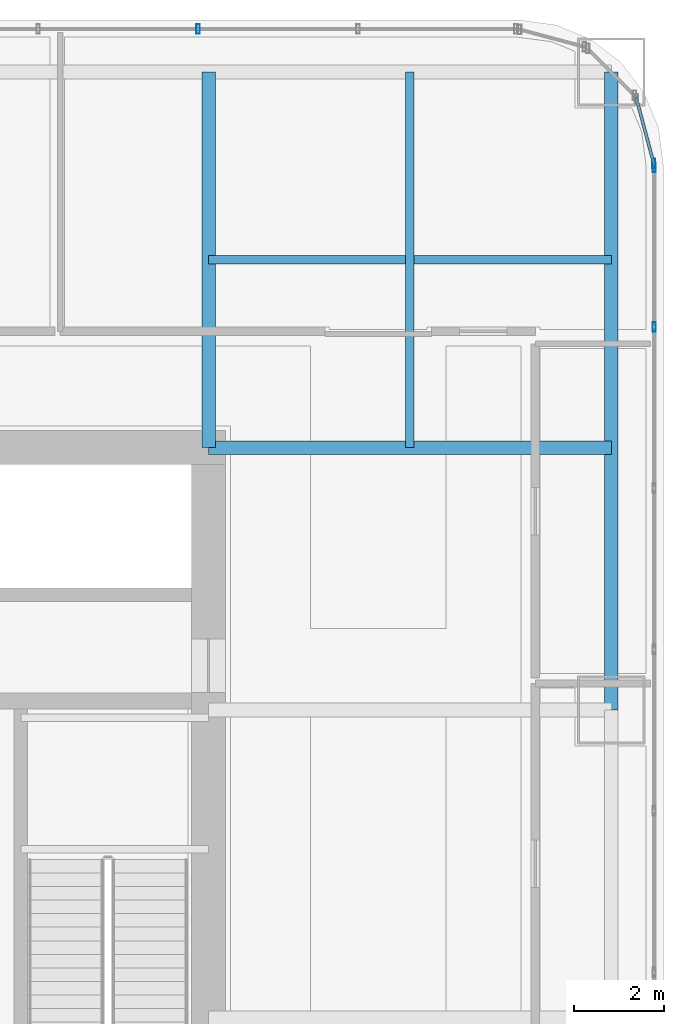
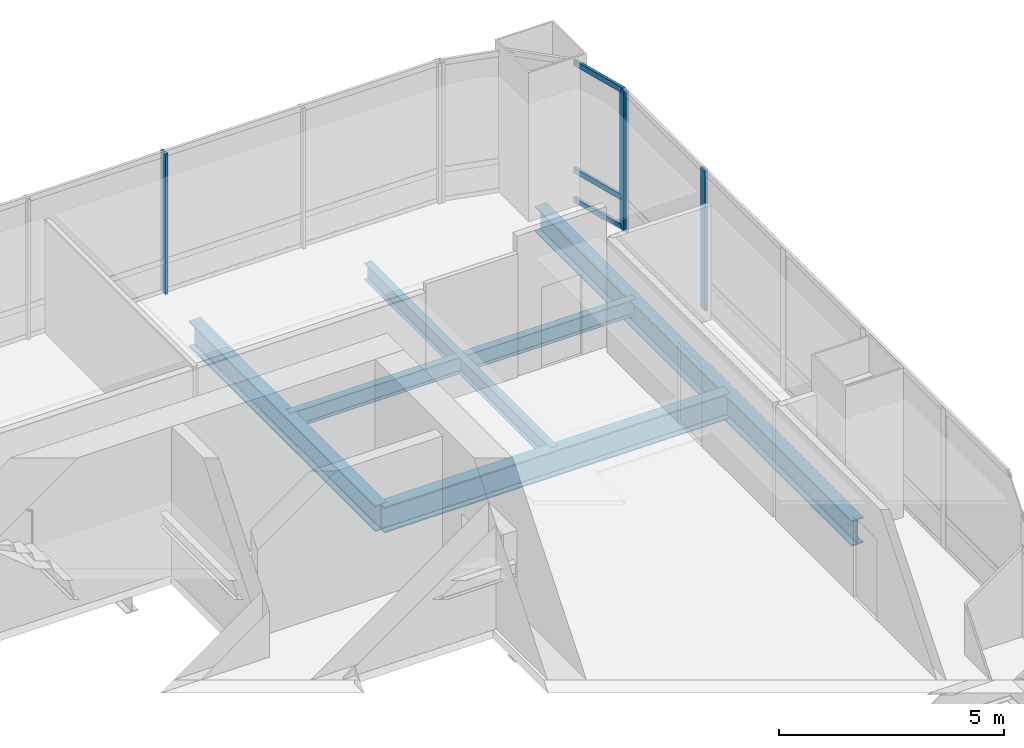
# One storey, part 24 of 36: 7 members, 5 beams, 3 elements without a shape of their own.
"""IFC4 building model written with IfcOpenShell, lengths in metres."""

from ifc_helpers import new_model, si_unit, direction, frame, origin, origin_2d, place, context, subcontext, project, spatial, hollow_rectangle, i_section, extrude, material, material_profile, profile_set, type_object, element, aggregate, save


model = new_model("IFC4")

# Units and contexts
model_context = context("Model", 3, precision=1e-05, world=origin(), true_north=direction((0.0, 1.0)))
body_context = subcontext(model_context, "Body", "Model", "MODEL_VIEW")
ifc_project = project(units=[si_unit("LENGTHUNIT", "METRE"), si_unit("AREAUNIT", "SQUARE_METRE"), si_unit("VOLUMEUNIT", "CUBIC_METRE"), si_unit("PLANEANGLEUNIT", "RADIAN"), si_unit("MASSUNIT", "GRAM", prefix="KILO")], contexts=[model_context])

# Site, building, storey
site_placement = place(None, origin())
site = spatial("IfcSite", under=ifc_project, at=site_placement, CompositionType="ELEMENT")
building_placement = place(site_placement, origin())
building = spatial("IfcBuilding", under=site, at=building_placement, Name="Punatoya Terracotta Tower", CompositionType="ELEMENT")
storey_placement = place(building_placement, frame((0.0, 0.0, 36.300048828125)))
storey = spatial("IfcBuildingStorey", under=building, at=storey_placement, Name="L07", CompositionType="ELEMENT", Elevation=36.300048828125)

# Beams
ifc_material_1 = material(Name="Steel S355", Category="steel")
ifc_material_profile_1 = material_profile(ifc_material_1, i_section(OverallWidth=0.300048828125, OverallDepth=0.699951171875, WebThickness=0.01708984375, FlangeThickness=0.031982421875, FilletRadius=0.01806640625, at=origin_2d()))
ifc_profile_set_1 = profile_set([ifc_material_profile_1], Name="Steel S355")
beam_type_1 = type_object("IfcBeamType", Name="BM-PRI-700", PredefinedType="BEAM", material=ifc_profile_set_1)
beam_1_placement = place(storey_placement, frame((19.10009765625, 3.39990234375, -0.590087890625), z_axis=(0.0, 1.0, 0.0), x_axis=(-1.0, 0.0, 0.0)))
element("IfcBeam", 1, at=beam_1_placement, inside=storey, type_object=beam_type_1, Name="BM-L07-RG-E3", PredefinedType="BEAM", context=body_context, shape_type="SweptSolid", body=[
    extrude(i_section(OverallWidth=0.300048828125, OverallDepth=0.699951171875, WebThickness=0.01708984375, FlangeThickness=0.031982421875, FilletRadius=0.01806640625, at=origin_2d()), origin(), (0.0, 0.0, 1.0), 14.10009765625),
])
beam_2_placement = place(storey_placement, frame((10.199951171875, 9.199951171875, -0.590087890625), z_axis=(1.0, 0.0, 0.0), x_axis=(0.0, 1.0, 0.0)))
element("IfcBeam", 2, at=beam_2_placement, inside=storey, type_object=beam_type_1, Name="BM-L07-PR-EN", PredefinedType="BEAM", context=body_context, shape_type="SweptSolid", body=[
    extrude(i_section(OverallWidth=0.300048828125, OverallDepth=0.699951171875, WebThickness=0.01708984375, FlangeThickness=0.031982421875, FilletRadius=0.01806640625, at=origin_2d()), origin(), (0.0, 0.0, 1.0), 8.900146484375),
])
beam_3_placement = place(storey_placement, frame((10.199951171875, 9.199951171875, -0.590087890625), z_axis=(0.0, 1.0, 0.0), x_axis=(-1.0, 0.0, 0.0)))
element("IfcBeam", 3, at=beam_3_placement, inside=storey, type_object=beam_type_1, Name="BM-L07-PR-N4", PredefinedType="BEAM", context=body_context, shape_type="SweptSolid", body=[
    extrude(i_section(OverallWidth=0.300048828125, OverallDepth=0.699951171875, WebThickness=0.01708984375, FlangeThickness=0.031982421875, FilletRadius=0.01806640625, at=origin_2d()), origin(), (0.0, 0.0, 1.0), 8.300048828125),
])
ifc_material_profile_2 = material_profile(ifc_material_1, i_section(OverallWidth=0.18994140625, OverallDepth=0.449951171875, WebThickness=0.009521484375, FlangeThickness=0.0146484375, FilletRadius=0.01806640625, at=origin_2d()))
ifc_profile_set_2 = profile_set([ifc_material_profile_2], Name="Steel S355")
beam_type_2 = type_object("IfcBeamType", Name="BM-SEC-450", PredefinedType="JOIST", material=ifc_profile_set_2)
beam_4_placement = place(storey_placement, frame((10.199951171875, 13.35009765625, -0.465087890625), z_axis=(1.0, 0.0, 0.0), x_axis=(0.0, 1.0, 0.0)))
element("IfcBeam", 4, at=beam_4_placement, inside=storey, type_object=beam_type_2, Name="BM-L07-SJN-2", PredefinedType="JOIST", context=body_context, shape_type="SweptSolid", body=[
    extrude(i_section(OverallWidth=0.18994140625, OverallDepth=0.449951171875, WebThickness=0.009521484375, FlangeThickness=0.0146484375, FilletRadius=0.01806640625, at=origin_2d()), origin(), (0.0, 0.0, 1.0), 8.900146484375),
])
beam_5_placement = place(storey_placement, frame((14.64990234375, 9.199951171875, -0.465087890625), z_axis=(0.0, 1.0, 0.0), x_axis=(-1.0, 0.0, 0.0)))
element("IfcBeam", 5, at=beam_5_placement, inside=storey, type_object=beam_type_2, Name="BM-L07-SJE-2", PredefinedType="JOIST", context=body_context, shape_type="SweptSolid", body=[
    extrude(i_section(OverallWidth=0.18994140625, OverallDepth=0.449951171875, WebThickness=0.009521484375, FlangeThickness=0.0146484375, FilletRadius=0.01806640625, at=origin_2d()), origin(), (0.0, 0.0, 1.0), 8.300048828125),
])

# Curtain wall, members
ifc_material_2 = material(Name="Aluminium 6063-T6 + Double Low-E Glass", Category="aluminium")
curtain_wall_type = type_object("IfcCurtainWallType", Name="CW-M1", PredefinedType="NOTDEFINED", material=ifc_material_2)
curtain_wall_1_placement = place(storey_placement, origin())
curtain_wall_1 = element("IfcCurtainWall", 6, at=curtain_wall_1_placement, inside=storey, type_object=curtain_wall_type, Name="L07 Curtain Wall CW-L07-E05-1", PredefinedType="NOTDEFINED")
ifc_material_3 = material(Name="Aluminium 6063-T6", Category="aluminium")
ifc_material_profile_3 = material_profile(ifc_material_3, hollow_rectangle(XDim=0.074951171875, YDim=0.2099609375, WallThickness=0.00439453125, at=origin_2d()))
ifc_profile_set_3 = profile_set([ifc_material_profile_3], Name="Aluminium 6063-T6")
member_type_1 = type_object("IfcMemberType", Name="CW-MUL-M1", PredefinedType="MULLION", material=ifc_profile_set_3)
member_1_placement = place(storey_placement, frame((20.050048828125, 11.869384765625, 0.0), z_axis=(0.0, 0.0, 1.0), x_axis=(1.0, 0.0, 0.0)))
member_1 = element("IfcMember", 7, at=member_1_placement, type_object=member_type_1, Name="CW-L07-E05-1 Mullion 09", PredefinedType="MULLION", context=body_context, shape_type="SweptSolid", body=[
    extrude(hollow_rectangle(XDim=0.074951171875, YDim=0.2099609375, WallThickness=0.00439453125, at=origin_2d()), origin(), (0.0, 0.0, 1.0), 3.81005859375),
])
member_2_placement = place(storey_placement, frame((20.050048828125, 15.391845703125, 0.0), z_axis=(0.0, 0.0, 1.0), x_axis=(1.0, 0.0, 0.0)))
member_2 = element("IfcMember", 8, at=member_2_placement, type_object=member_type_1, Name="CW-L07-E05-1 Mullion 10", PredefinedType="MULLION", context=body_context, shape_type="SweptSolid", body=[
    extrude(hollow_rectangle(XDim=0.074951171875, YDim=0.2099609375, WallThickness=0.00439453125, at=origin_2d()), origin(), (0.0, 0.0, 1.0), 3.81005859375),
])
aggregate(curtain_wall_1, [member_1, member_2])

# Curtain wall, member
curtain_wall_2_placement = place(storey_placement, origin())
curtain_wall_2 = element("IfcCurtainWall", 9, at=curtain_wall_2_placement, inside=storey, type_object=curtain_wall_type, Name="L07 Curtain Wall CW-L07-CRN06", PredefinedType="NOTDEFINED")
member_3_placement = place(storey_placement, frame((20.038330078125, 15.48046875, 0.0), z_axis=(0.0, 0.0, 1.0), x_axis=(1.0, 0.0, 0.0)))
member_3 = element("IfcMember", 10, at=member_3_placement, type_object=member_type_1, Name="CW-L07-CRN06 Mullion 00", PredefinedType="MULLION", context=body_context, shape_type="SweptSolid", body=[
    extrude(hollow_rectangle(XDim=0.074951171875, YDim=0.2099609375, WallThickness=0.00439453125, at=origin_2d()), origin(), (0.0, 0.0, 1.0), 3.81005859375),
])

curtain_wall_3_placement = place(storey_placement, origin())
curtain_wall_3 = element("IfcCurtainWall", 11, at=curtain_wall_3_placement, inside=storey, type_object=curtain_wall_type, Name="L07 Curtain Wall CW-L07-N09-1", PredefinedType="NOTDEFINED")
member_4_placement = place(storey_placement, frame((9.968994140625, 18.449951171875, 0.0), z_axis=(0.0, 0.0, 1.0), x_axis=(1.0, 0.0, 0.0)))
member_4 = element("IfcMember", 12, at=member_4_placement, type_object=member_type_1, Name="CW-L07-N09-1 Mullion 02", PredefinedType="MULLION", context=body_context, shape_type="SweptSolid", body=[
    extrude(hollow_rectangle(XDim=0.074951171875, YDim=0.2099609375, WallThickness=0.00439453125, at=origin_2d()), origin(), (0.0, 0.0, 1.0), 3.81005859375),
])
aggregate(curtain_wall_3, [member_4])

# Member
ifc_material_profile_4 = material_profile(ifc_material_3, hollow_rectangle(XDim=0.068115234375, YDim=0.14990234375, WallThickness=0.00390625, at=origin_2d()))
ifc_profile_set_4 = profile_set([ifc_material_profile_4], Name="Aluminium 6063-T6")
member_type_2 = type_object("IfcMemberType", Name="CW-TRN-TYP", PredefinedType="USERDEFINED", material=ifc_profile_set_4)
member_5_placement = place(storey_placement, frame((20.050048828125, 15.43701171875, 0.0400390625), z_axis=(-0.257847112249, 0.966185730957, 0.0), x_axis=(-0.966185730957, -0.257847112249, 0.0)))
member_5 = element("IfcMember", 13, at=member_5_placement, type_object=member_type_2, Name="CW-L07-CRN06 Transom 1", ObjectType="TRANSOM", PredefinedType="USERDEFINED", context=body_context, shape_type="SweptSolid", body=[
    extrude(hollow_rectangle(XDim=0.068115234375, YDim=0.14990234375, WallThickness=0.00390625, at=origin_2d()), origin(), (0.0, 0.0, 1.0), 1.565185546875),
])

member_6_placement = place(storey_placement, frame((20.050048828125, 15.43701171875, 0.849853515625), z_axis=(-0.257847112249, 0.966185730957, 0.0), x_axis=(-0.966185730957, -0.257847112249, 0.0)))
member_6 = element("IfcMember", 14, at=member_6_placement, type_object=member_type_2, Name="CW-L07-CRN06 Transom 2", ObjectType="TRANSOM", PredefinedType="USERDEFINED", context=body_context, shape_type="SweptSolid", body=[
    extrude(hollow_rectangle(XDim=0.068115234375, YDim=0.14990234375, WallThickness=0.00390625, at=origin_2d()), origin(), (0.0, 0.0, 1.0), 1.565185546875),
])

member_7_placement = place(storey_placement, frame((20.050048828125, 15.43701171875, 3.77001953125), z_axis=(-0.257847112249, 0.966185730957, 0.0), x_axis=(-0.966185730957, -0.257847112249, 0.0)))
member_7 = element("IfcMember", 15, at=member_7_placement, type_object=member_type_2, Name="CW-L07-CRN06 Transom 3", ObjectType="TRANSOM", PredefinedType="USERDEFINED", context=body_context, shape_type="SweptSolid", body=[
    extrude(hollow_rectangle(XDim=0.068115234375, YDim=0.14990234375, WallThickness=0.00390625, at=origin_2d()), origin(), (0.0, 0.0, 1.0), 1.565185546875),
])

aggregate(curtain_wall_2, [member_3, member_5, member_6, member_7])

save(model, "model.ifc")
